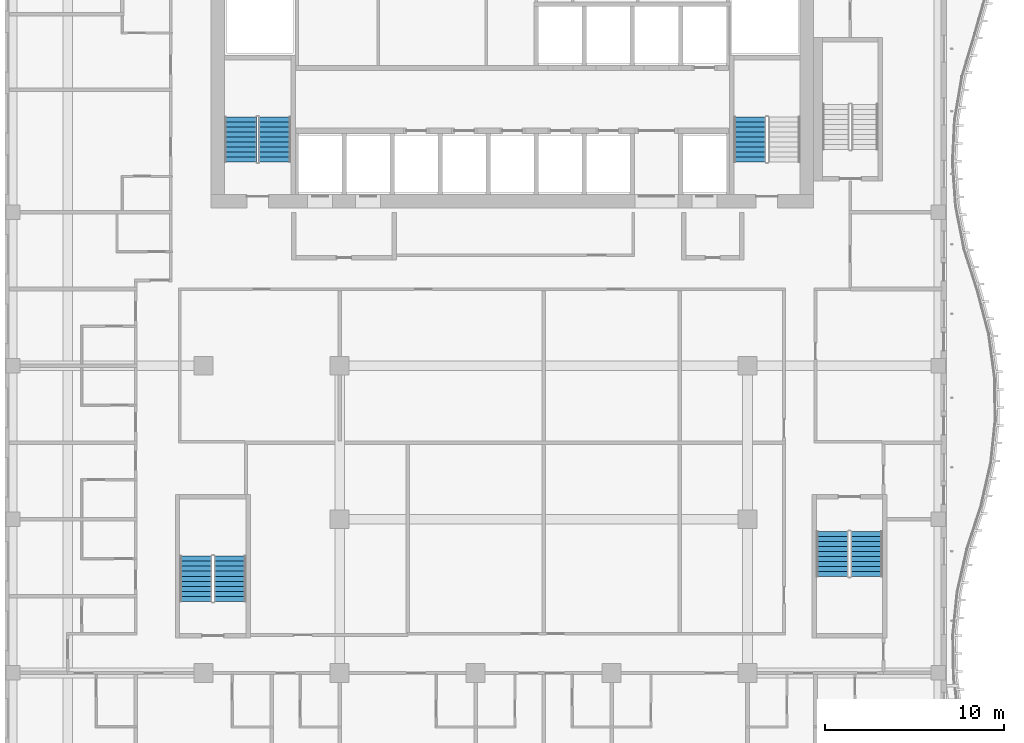
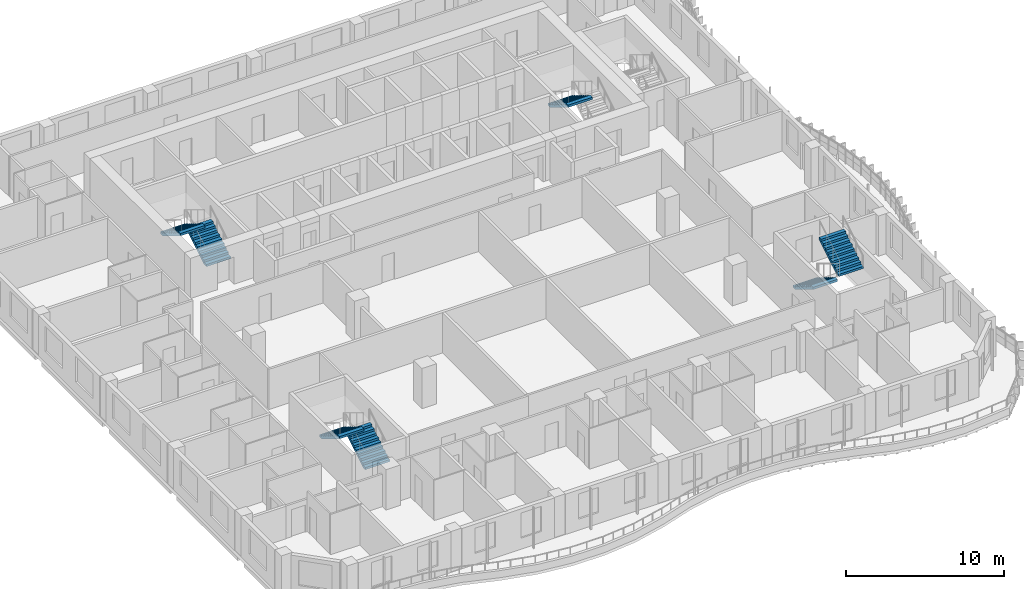
# One storey, part 11 of 21: 7 stair flights, 4 elements without a shape of their own.
"""IFC4 building model written with IfcOpenShell, lengths in metres."""

from ifc_helpers import new_model, si_unit, direction, frame, origin, place, context, subcontext, project, spatial, triangles, source, transform, mapped, material, type_object, element, aggregate, save


model = new_model("IFC4")

# Units and contexts
model_context = context("Model", 3, precision=1e-05, world=origin(), true_north=direction((0.0, 1.0)))
body_context = subcontext(model_context, "Body", "Model", "MODEL_VIEW")
ifc_project = project(units=[si_unit("LENGTHUNIT", "METRE"), si_unit("AREAUNIT", "SQUARE_METRE"), si_unit("VOLUMEUNIT", "CUBIC_METRE"), si_unit("PLANEANGLEUNIT", "RADIAN"), si_unit("MASSUNIT", "GRAM", prefix="KILO")], contexts=[model_context])

# Site, building, storey
site_placement = place(None, origin())
site = spatial("IfcSite", under=ifc_project, at=site_placement, CompositionType="ELEMENT")
building_placement = place(site_placement, origin())
building = spatial("IfcBuilding", under=site, at=building_placement, Name="Kilnfold Tower and Market Hall", CompositionType="ELEMENT")
storey_placement = place(building_placement, frame((0.0, 0.0, 182.10009765625)))
storey = spatial("IfcBuildingStorey", under=building, at=storey_placement, Name="L43", CompositionType="ELEMENT", Elevation=182.10009765625)

# Stair, stair flights
ifc_material_1 = material(Name="Concrete C40/50", Category="concrete")
stair_type = type_object("IfcStairType", Name="CORE STAIR 1800", PredefinedType="HALF_TURN_STAIR", material=ifc_material_1)
stair_1_placement = place(storey_placement, origin())
stair_1 = element("IfcStair", 1, at=stair_1_placement, inside=storey, type_object=stair_type, Name="L43 ST1", PredefinedType="HALF_TURN_STAIR")
ifc_material_2 = material(Name="Concrete C40/50", Category="concrete")
stair_flight_type = type_object("IfcStairFlightType", Name="CORE STAIR FLIGHT 1800", PredefinedType="STRAIGHT", material=ifc_material_2)
shared_shape = source(origin(), body_context, "Body", "Tessellation", [
    triangles([(0.0, 0.89990234375, 0.0), (0.0, 0.78759765625, 0.0), (0.0, 0.675048828125, 0.0), (0.0, 0.5625, 0.0), (0.0, 0.449951171875, 0.0), (0.0, 0.33740234375, 0.0), (0.0, 0.22509765625, 0.0), (0.0, 0.112548828125, 0.0), (0.0, 0.0, 0.0), (0.0, -0.112548828125, 0.0), (0.0, -0.22509765625, 0.0), (0.0, -0.33740234375, 0.0), (0.0, -0.449951171875, 0.0), (0.0, -0.5625, 0.0), (0.0, -0.675048828125, 0.0), (0.0, -0.78759765625, 0.0), (0.0, -0.89990234375, 0.0), (0.0, 0.89990234375, 0.169921875), (0.0, 0.78759765625, 0.169921875), (0.0, 0.675048828125, 0.169921875), (0.0, 0.5625, 0.169921875), (0.0, 0.449951171875, 0.169921875), (0.0, 0.33740234375, 0.169921875), (0.0, 0.22509765625, 0.169921875), (0.0, 0.112548828125, 0.169921875), (0.0, 0.0, 0.169921875), (0.0, -0.112548828125, 0.169921875), (0.0, -0.22509765625, 0.169921875), (0.0, -0.33740234375, 0.169921875), (0.0, -0.449951171875, 0.169921875), (0.0, -0.5625, 0.169921875), (0.0, -0.675048828125, 0.169921875), (0.0, -0.78759765625, 0.169921875), (0.0, -0.89990234375, 0.169921875), (0.280029296875, 0.89990234375, 0.169921875), (0.280029296875, 0.78759765625, 0.169921875), (0.280029296875, 0.675048828125, 0.169921875), (0.280029296875, 0.5625, 0.169921875), (0.280029296875, 0.449951171875, 0.169921875), (0.280029296875, 0.33740234375, 0.169921875), (0.280029296875, 0.22509765625, 0.169921875), (0.280029296875, 0.112548828125, 0.169921875), (0.280029296875, 0.0, 0.169921875), (0.280029296875, -0.112548828125, 0.169921875), (0.280029296875, -0.22509765625, 0.169921875), (0.280029296875, -0.33740234375, 0.169921875), (0.280029296875, -0.449951171875, 0.169921875), (0.280029296875, -0.5625, 0.169921875), (0.280029296875, -0.675048828125, 0.169921875), (0.280029296875, -0.78759765625, 0.169921875), (0.280029296875, -0.89990234375, 0.169921875), (0.280029296875, 0.89990234375, 0.340087890625), (0.280029296875, 0.78759765625, 0.340087890625), (0.280029296875, 0.675048828125, 0.340087890625), (0.280029296875, 0.5625, 0.340087890625), (0.280029296875, 0.449951171875, 0.340087890625), (0.280029296875, 0.33740234375, 0.340087890625), (0.280029296875, 0.22509765625, 0.340087890625), (0.280029296875, 0.112548828125, 0.340087890625), (0.280029296875, 0.0, 0.340087890625), (0.280029296875, -0.112548828125, 0.340087890625), (0.280029296875, -0.22509765625, 0.340087890625), (0.280029296875, -0.33740234375, 0.340087890625), (0.280029296875, -0.449951171875, 0.340087890625), (0.280029296875, -0.5625, 0.340087890625), (0.280029296875, -0.675048828125, 0.340087890625), (0.280029296875, -0.78759765625, 0.340087890625), (0.280029296875, -0.89990234375, 0.340087890625), (0.56005859375, 0.89990234375, 0.340087890625), (0.56005859375, 0.78759765625, 0.340087890625), (0.56005859375, 0.675048828125, 0.340087890625), (0.56005859375, 0.5625, 0.340087890625), (0.56005859375, 0.449951171875, 0.340087890625), (0.56005859375, 0.33740234375, 0.340087890625), (0.56005859375, 0.22509765625, 0.340087890625), (0.56005859375, 0.112548828125, 0.340087890625), (0.56005859375, 0.0, 0.340087890625), (0.56005859375, -0.112548828125, 0.340087890625), (0.56005859375, -0.22509765625, 0.340087890625), (0.56005859375, -0.33740234375, 0.340087890625), (0.56005859375, -0.449951171875, 0.340087890625), (0.56005859375, -0.5625, 0.340087890625), (0.56005859375, -0.675048828125, 0.340087890625), (0.56005859375, -0.78759765625, 0.340087890625), (0.56005859375, -0.89990234375, 0.340087890625), (0.56005859375, 0.89990234375, 0.510009765625), (0.56005859375, 0.78759765625, 0.510009765625), (0.56005859375, 0.675048828125, 0.510009765625), (0.56005859375, 0.5625, 0.510009765625), (0.56005859375, 0.449951171875, 0.510009765625), (0.56005859375, 0.33740234375, 0.510009765625), (0.56005859375, 0.22509765625, 0.510009765625), (0.56005859375, 0.112548828125, 0.510009765625), (0.56005859375, 0.0, 0.510009765625), (0.56005859375, -0.112548828125, 0.510009765625), (0.56005859375, -0.22509765625, 0.510009765625), (0.56005859375, -0.33740234375, 0.510009765625), (0.56005859375, -0.449951171875, 0.510009765625), (0.56005859375, -0.5625, 0.510009765625), (0.56005859375, -0.675048828125, 0.510009765625), (0.56005859375, -0.78759765625, 0.510009765625), (0.56005859375, -0.89990234375, 0.510009765625), (0.840087890625, 0.89990234375, 0.510009765625), (0.840087890625, 0.78759765625, 0.510009765625), (0.840087890625, 0.675048828125, 0.510009765625), (0.840087890625, 0.5625, 0.510009765625), (0.840087890625, 0.449951171875, 0.510009765625), (0.840087890625, 0.33740234375, 0.510009765625), (0.840087890625, 0.22509765625, 0.510009765625), (0.840087890625, 0.112548828125, 0.510009765625), (0.840087890625, 0.0, 0.510009765625), (0.840087890625, -0.112548828125, 0.510009765625), (0.840087890625, -0.22509765625, 0.510009765625), (0.840087890625, -0.33740234375, 0.510009765625), (0.840087890625, -0.449951171875, 0.510009765625), (0.840087890625, -0.5625, 0.510009765625), (0.840087890625, -0.675048828125, 0.510009765625), (0.840087890625, -0.78759765625, 0.510009765625), (0.840087890625, -0.89990234375, 0.510009765625), (0.840087890625, 0.89990234375, 0.679931640625), (0.840087890625, 0.78759765625, 0.679931640625), (0.840087890625, 0.675048828125, 0.679931640625), (0.840087890625, 0.5625, 0.679931640625), (0.840087890625, 0.449951171875, 0.679931640625), (0.840087890625, 0.33740234375, 0.679931640625), (0.840087890625, 0.22509765625, 0.679931640625), (0.840087890625, 0.112548828125, 0.679931640625), (0.840087890625, 0.0, 0.679931640625), (0.840087890625, -0.112548828125, 0.679931640625), (0.840087890625, -0.22509765625, 0.679931640625), (0.840087890625, -0.33740234375, 0.679931640625), (0.840087890625, -0.449951171875, 0.679931640625), (0.840087890625, -0.5625, 0.679931640625), (0.840087890625, -0.675048828125, 0.679931640625), (0.840087890625, -0.78759765625, 0.679931640625), (0.840087890625, -0.89990234375, 0.679931640625), (1.1201171875, 0.89990234375, 0.679931640625), (1.1201171875, 0.78759765625, 0.679931640625), (1.1201171875, 0.675048828125, 0.679931640625), (1.1201171875, 0.5625, 0.679931640625), (1.1201171875, 0.449951171875, 0.679931640625), (1.1201171875, 0.33740234375, 0.679931640625), (1.1201171875, 0.22509765625, 0.679931640625), (1.1201171875, 0.112548828125, 0.679931640625), (1.1201171875, 0.0, 0.679931640625), (1.1201171875, -0.112548828125, 0.679931640625), (1.1201171875, -0.22509765625, 0.679931640625), (1.1201171875, -0.33740234375, 0.679931640625), (1.1201171875, -0.449951171875, 0.679931640625), (1.1201171875, -0.5625, 0.679931640625), (1.1201171875, -0.675048828125, 0.679931640625), (1.1201171875, -0.78759765625, 0.679931640625), (1.1201171875, -0.89990234375, 0.679931640625), (1.1201171875, 0.89990234375, 0.85009765625), (1.1201171875, 0.78759765625, 0.85009765625), (1.1201171875, 0.675048828125, 0.85009765625), (1.1201171875, 0.5625, 0.85009765625), (1.1201171875, 0.449951171875, 0.85009765625), (1.1201171875, 0.33740234375, 0.85009765625), (1.1201171875, 0.22509765625, 0.85009765625), (1.1201171875, 0.112548828125, 0.85009765625), (1.1201171875, 0.0, 0.85009765625), (1.1201171875, -0.112548828125, 0.85009765625), (1.1201171875, -0.22509765625, 0.85009765625), (1.1201171875, -0.33740234375, 0.85009765625), (1.1201171875, -0.449951171875, 0.85009765625), (1.1201171875, -0.5625, 0.85009765625), (1.1201171875, -0.675048828125, 0.85009765625), (1.1201171875, -0.78759765625, 0.85009765625), (1.1201171875, -0.89990234375, 0.85009765625), (1.39990234375, 0.89990234375, 0.85009765625), (1.39990234375, 0.78759765625, 0.85009765625), (1.39990234375, 0.675048828125, 0.85009765625), (1.39990234375, 0.5625, 0.85009765625), (1.39990234375, 0.449951171875, 0.85009765625), (1.39990234375, 0.33740234375, 0.85009765625), (1.39990234375, 0.22509765625, 0.85009765625), (1.39990234375, 0.112548828125, 0.85009765625), (1.39990234375, 0.0, 0.85009765625), (1.39990234375, -0.112548828125, 0.85009765625), (1.39990234375, -0.22509765625, 0.85009765625), (1.39990234375, -0.33740234375, 0.85009765625), (1.39990234375, -0.449951171875, 0.85009765625), (1.39990234375, -0.5625, 0.85009765625), (1.39990234375, -0.675048828125, 0.85009765625), (1.39990234375, -0.78759765625, 0.85009765625), (1.39990234375, -0.89990234375, 0.85009765625), (1.39990234375, 0.89990234375, 1.02001953125), (1.39990234375, 0.78759765625, 1.02001953125), (1.39990234375, 0.675048828125, 1.02001953125), (1.39990234375, 0.5625, 1.02001953125), (1.39990234375, 0.449951171875, 1.02001953125), (1.39990234375, 0.33740234375, 1.02001953125), (1.39990234375, 0.22509765625, 1.02001953125), (1.39990234375, 0.112548828125, 1.02001953125), (1.39990234375, 0.0, 1.02001953125), (1.39990234375, -0.112548828125, 1.02001953125), (1.39990234375, -0.22509765625, 1.02001953125), (1.39990234375, -0.33740234375, 1.02001953125), (1.39990234375, -0.449951171875, 1.02001953125), (1.39990234375, -0.5625, 1.02001953125), (1.39990234375, -0.675048828125, 1.02001953125), (1.39990234375, -0.78759765625, 1.02001953125), (1.39990234375, -0.89990234375, 1.02001953125), (1.679931640625, 0.89990234375, 1.02001953125), (1.679931640625, 0.78759765625, 1.02001953125), (1.679931640625, 0.675048828125, 1.02001953125), (1.679931640625, 0.5625, 1.02001953125), (1.679931640625, 0.449951171875, 1.02001953125), (1.679931640625, 0.33740234375, 1.02001953125), (1.679931640625, 0.22509765625, 1.02001953125), (1.679931640625, 0.112548828125, 1.02001953125), (1.679931640625, 0.0, 1.02001953125), (1.679931640625, -0.112548828125, 1.02001953125), (1.679931640625, -0.22509765625, 1.02001953125), (1.679931640625, -0.33740234375, 1.02001953125), (1.679931640625, -0.449951171875, 1.02001953125), (1.679931640625, -0.5625, 1.02001953125), (1.679931640625, -0.675048828125, 1.02001953125), (1.679931640625, -0.78759765625, 1.02001953125), (1.679931640625, -0.89990234375, 1.02001953125), (1.679931640625, 0.89990234375, 1.18994140625), (1.679931640625, 0.78759765625, 1.18994140625), (1.679931640625, 0.675048828125, 1.18994140625), (1.679931640625, 0.5625, 1.18994140625), (1.679931640625, 0.449951171875, 1.18994140625), (1.679931640625, 0.33740234375, 1.18994140625), (1.679931640625, 0.22509765625, 1.18994140625), (1.679931640625, 0.112548828125, 1.18994140625), (1.679931640625, 0.0, 1.18994140625), (1.679931640625, -0.112548828125, 1.18994140625), (1.679931640625, -0.22509765625, 1.18994140625), (1.679931640625, -0.33740234375, 1.18994140625), (1.679931640625, -0.449951171875, 1.18994140625), (1.679931640625, -0.5625, 1.18994140625), (1.679931640625, -0.675048828125, 1.18994140625), (1.679931640625, -0.78759765625, 1.18994140625), (1.679931640625, -0.89990234375, 1.18994140625), (1.9599609375, 0.89990234375, 1.18994140625), (1.9599609375, 0.78759765625, 1.18994140625), (1.9599609375, 0.675048828125, 1.18994140625), (1.9599609375, 0.5625, 1.18994140625), (1.9599609375, 0.449951171875, 1.18994140625), (1.9599609375, 0.33740234375, 1.18994140625), (1.9599609375, 0.22509765625, 1.18994140625), (1.9599609375, 0.112548828125, 1.18994140625), (1.9599609375, 0.0, 1.18994140625), (1.9599609375, -0.112548828125, 1.18994140625), (1.9599609375, -0.22509765625, 1.18994140625), (1.9599609375, -0.33740234375, 1.18994140625), (1.9599609375, -0.449951171875, 1.18994140625), (1.9599609375, -0.5625, 1.18994140625), (1.9599609375, -0.675048828125, 1.18994140625), (1.9599609375, -0.78759765625, 1.18994140625), (1.9599609375, -0.89990234375, 1.18994140625), (1.9599609375, 0.89990234375, 1.360107421875), (1.9599609375, 0.78759765625, 1.360107421875), (1.9599609375, 0.675048828125, 1.360107421875), (1.9599609375, 0.5625, 1.360107421875), (1.9599609375, 0.449951171875, 1.360107421875), (1.9599609375, 0.33740234375, 1.360107421875), (1.9599609375, 0.22509765625, 1.360107421875), (1.9599609375, 0.112548828125, 1.360107421875), (1.9599609375, 0.0, 1.360107421875), (1.9599609375, -0.112548828125, 1.360107421875), (1.9599609375, -0.22509765625, 1.360107421875), (1.9599609375, -0.33740234375, 1.360107421875), (1.9599609375, -0.449951171875, 1.360107421875), (1.9599609375, -0.5625, 1.360107421875), (1.9599609375, -0.675048828125, 1.360107421875), (1.9599609375, -0.78759765625, 1.360107421875), (1.9599609375, -0.89990234375, 1.360107421875), (2.239990234375, 0.89990234375, 1.360107421875), (2.239990234375, 0.78759765625, 1.360107421875), (2.239990234375, 0.675048828125, 1.360107421875), (2.239990234375, 0.5625, 1.360107421875), (2.239990234375, 0.449951171875, 1.360107421875), (2.239990234375, 0.33740234375, 1.360107421875), (2.239990234375, 0.22509765625, 1.360107421875), (2.239990234375, 0.112548828125, 1.360107421875), (2.239990234375, 0.0, 1.360107421875), (2.239990234375, -0.112548828125, 1.360107421875), (2.239990234375, -0.22509765625, 1.360107421875), (2.239990234375, -0.33740234375, 1.360107421875), (2.239990234375, -0.449951171875, 1.360107421875), (2.239990234375, -0.5625, 1.360107421875), (2.239990234375, -0.675048828125, 1.360107421875), (2.239990234375, -0.78759765625, 1.360107421875), (2.239990234375, -0.89990234375, 1.360107421875), (2.239990234375, 0.89990234375, 1.530029296875), (2.239990234375, 0.78759765625, 1.530029296875), (2.239990234375, 0.675048828125, 1.530029296875), (2.239990234375, 0.5625, 1.530029296875), (2.239990234375, 0.449951171875, 1.530029296875), (2.239990234375, 0.33740234375, 1.530029296875), (2.239990234375, 0.22509765625, 1.530029296875), (2.239990234375, 0.112548828125, 1.530029296875), (2.239990234375, 0.0, 1.530029296875), (2.239990234375, -0.112548828125, 1.530029296875), (2.239990234375, -0.22509765625, 1.530029296875), (2.239990234375, -0.33740234375, 1.530029296875), (2.239990234375, -0.449951171875, 1.530029296875), (2.239990234375, -0.5625, 1.530029296875), (2.239990234375, -0.675048828125, 1.530029296875), (2.239990234375, -0.78759765625, 1.530029296875), (2.239990234375, -0.89990234375, 1.530029296875), (2.52001953125, 0.89990234375, 1.530029296875), (2.52001953125, 0.78759765625, 1.530029296875), (2.52001953125, 0.675048828125, 1.530029296875), (2.52001953125, 0.5625, 1.530029296875), (2.52001953125, 0.449951171875, 1.530029296875), (2.52001953125, 0.33740234375, 1.530029296875), (2.52001953125, 0.22509765625, 1.530029296875), (2.52001953125, 0.112548828125, 1.530029296875), (2.52001953125, 0.0, 1.530029296875), (2.52001953125, -0.112548828125, 1.530029296875), (2.52001953125, -0.22509765625, 1.530029296875), (2.52001953125, -0.33740234375, 1.530029296875), (2.52001953125, -0.449951171875, 1.530029296875), (2.52001953125, -0.5625, 1.530029296875), (2.52001953125, -0.675048828125, 1.530029296875), (2.52001953125, -0.78759765625, 1.530029296875), (2.52001953125, -0.89990234375, 1.530029296875), (2.52001953125, 0.89990234375, 1.354736328125), (2.52001953125, 0.78759765625, 1.354736328125), (2.52001953125, 0.675048828125, 1.354736328125), (2.52001953125, 0.5625, 1.354736328125), (2.52001953125, 0.449951171875, 1.354736328125), (2.52001953125, 0.33740234375, 1.354736328125), (2.52001953125, 0.22509765625, 1.354736328125), (2.52001953125, 0.112548828125, 1.354736328125), (2.52001953125, 0.0, 1.354736328125), (2.52001953125, -0.112548828125, 1.354736328125), (2.52001953125, -0.22509765625, 1.354736328125), (2.52001953125, -0.33740234375, 1.354736328125), (2.52001953125, -0.449951171875, 1.354736328125), (2.52001953125, -0.5625, 1.354736328125), (2.52001953125, -0.675048828125, 1.354736328125), (2.52001953125, -0.78759765625, 1.354736328125), (2.52001953125, -0.89990234375, 1.354736328125), (0.288818359375, 0.89990234375, 0.0), (0.288818359375, 0.78759765625, 0.0), (0.288818359375, 0.675048828125, 0.0), (0.288818359375, 0.5625, 0.0), (0.288818359375, 0.449951171875, 0.0), (0.288818359375, 0.33740234375, 0.0), (0.288818359375, 0.22509765625, 0.0), (0.288818359375, 0.112548828125, 0.0), (0.288818359375, 0.0, 0.0), (0.288818359375, -0.112548828125, 0.0), (0.288818359375, -0.22509765625, 0.0), (0.288818359375, -0.33740234375, 0.0), (0.288818359375, -0.449951171875, 0.0), (0.288818359375, -0.5625, 0.0), (0.288818359375, -0.675048828125, 0.0), (0.288818359375, -0.78759765625, 0.0), (0.288818359375, -0.89990234375, 0.0)], [[1, 324, 341], [17, 357, 340], [324, 290, 307], [340, 323, 306], [324, 273, 290], [340, 306, 289], [324, 256, 273], [340, 289, 272], [324, 239, 256], [340, 272, 255], [239, 205, 222], [255, 238, 221], [324, 205, 239], [340, 255, 221], [205, 171, 188], [221, 204, 187], [324, 171, 205], [340, 221, 187], [171, 137, 154], [187, 170, 153], [324, 137, 171], [340, 187, 153], [137, 103, 120], [153, 136, 119], [324, 103, 137], [340, 153, 119], [103, 69, 86], [119, 102, 85], [324, 69, 103], [340, 119, 85], [69, 35, 52], [85, 68, 51], [324, 35, 69], [340, 85, 51], [1, 35, 324], [17, 340, 51], [35, 1, 18], [51, 34, 17], [1, 19, 18], [1, 2, 19], [2, 20, 19], [2, 3, 20], [3, 21, 20], [3, 4, 21], [4, 22, 21], [4, 5, 22], [5, 23, 22], [5, 6, 23], [6, 24, 23], [6, 7, 24], [7, 25, 24], [7, 8, 25], [8, 26, 25], [8, 9, 26], [9, 27, 26], [9, 10, 27], [10, 28, 27], [10, 11, 28], [11, 29, 28], [11, 12, 29], [12, 30, 29], [12, 13, 30], [13, 31, 30], [13, 14, 31], [14, 32, 31], [14, 15, 32], [15, 33, 32], [15, 16, 33], [16, 34, 33], [16, 17, 34], [18, 36, 35], [18, 19, 36], [19, 37, 36], [19, 20, 37], [20, 38, 37], [20, 21, 38], [21, 39, 38], [21, 22, 39], [22, 40, 39], [22, 23, 40], [23, 41, 40], [23, 24, 41], [24, 42, 41], [24, 25, 42], [25, 43, 42], [25, 26, 43], [26, 44, 43], [26, 27, 44], [27, 45, 44], [27, 28, 45], [28, 46, 45], [28, 29, 46], [29, 47, 46], [29, 30, 47], [30, 48, 47], [30, 31, 48], [31, 49, 48], [31, 32, 49], [32, 50, 49], [32, 33, 50], [33, 51, 50], [33, 34, 51], [35, 53, 52], [35, 36, 53], [36, 54, 53], [36, 37, 54], [37, 55, 54], [37, 38, 55], [38, 56, 55], [38, 39, 56], [39, 57, 56], [39, 40, 57], [40, 58, 57], [40, 41, 58], [41, 59, 58], [41, 42, 59], [42, 60, 59], [42, 43, 60], [43, 61, 60], [43, 44, 61], [44, 62, 61], [44, 45, 62], [45, 63, 62], [45, 46, 63], [46, 64, 63], [46, 47, 64], [47, 65, 64], [47, 48, 65], [48, 66, 65], [48, 49, 66], [49, 67, 66], [49, 50, 67], [50, 68, 67], [50, 51, 68], [52, 70, 69], [52, 53, 70], [53, 71, 70], [53, 54, 71], [54, 72, 71], [54, 55, 72], [55, 73, 72], [55, 56, 73], [56, 74, 73], [56, 57, 74], [57, 75, 74], [57, 58, 75], [58, 76, 75], [58, 59, 76], [59, 77, 76], [59, 60, 77], [60, 78, 77], [60, 61, 78], [61, 79, 78], [61, 62, 79], [62, 80, 79], [62, 63, 80], [63, 81, 80], [63, 64, 81], [64, 82, 81], [64, 65, 82], [65, 83, 82], [65, 66, 83], [66, 84, 83], [66, 67, 84], [67, 85, 84], [67, 68, 85], [69, 87, 86], [69, 70, 87], [70, 88, 87], [70, 71, 88], [71, 89, 88], [71, 72, 89], [72, 90, 89], [72, 73, 90], [73, 91, 90], [73, 74, 91], [74, 92, 91], [74, 75, 92], [75, 93, 92], [75, 76, 93], [76, 94, 93], [76, 77, 94], [77, 95, 94], [77, 78, 95], [78, 96, 95], [78, 79, 96], [79, 97, 96], [79, 80, 97], [80, 98, 97], [80, 81, 98], [81, 99, 98], [81, 82, 99], [82, 100, 99], [82, 83, 100], [83, 101, 100], [83, 84, 101], [84, 102, 101], [84, 85, 102], [86, 104, 103], [86, 87, 104], [87, 105, 104], [87, 88, 105], [88, 106, 105], [88, 89, 106], [89, 107, 106], [89, 90, 107], [90, 108, 107], [90, 91, 108], [91, 109, 108], [91, 92, 109], [92, 110, 109], [92, 93, 110], [93, 111, 110], [93, 94, 111], [94, 112, 111], [94, 95, 112], [95, 113, 112], [95, 96, 113], [96, 114, 113], [96, 97, 114], [97, 115, 114], [97, 98, 115], [98, 116, 115], [98, 99, 116], [99, 117, 116], [99, 100, 117], [100, 118, 117], [100, 101, 118], [101, 119, 118], [101, 102, 119], [103, 121, 120], [103, 104, 121], [104, 122, 121], [104, 105, 122], [105, 123, 122], [105, 106, 123], [106, 124, 123], [106, 107, 124], [107, 125, 124], [107, 108, 125], [108, 126, 125], [108, 109, 126], [109, 127, 126], [109, 110, 127], [110, 128, 127], [110, 111, 128], [111, 129, 128], [111, 112, 129], [112, 130, 129], [112, 113, 130], [113, 131, 130], [113, 114, 131], [114, 132, 131], [114, 115, 132], [115, 133, 132], [115, 116, 133], [116, 134, 133], [116, 117, 134], [117, 135, 134], [117, 118, 135], [118, 136, 135], [118, 119, 136], [120, 138, 137], [120, 121, 138], [121, 139, 138], [121, 122, 139], [122, 140, 139], [122, 123, 140], [123, 141, 140], [123, 124, 141], [124, 142, 141], [124, 125, 142], [125, 143, 142], [125, 126, 143], [126, 144, 143], [126, 127, 144], [127, 145, 144], [127, 128, 145], [128, 146, 145], [128, 129, 146], [129, 147, 146], [129, 130, 147], [130, 148, 147], [130, 131, 148], [131, 149, 148], [131, 132, 149], [132, 150, 149], [132, 133, 150], [133, 151, 150], [133, 134, 151], [134, 152, 151], [134, 135, 152], [135, 153, 152], [135, 136, 153], [137, 155, 154], [137, 138, 155], [138, 156, 155], [138, 139, 156], [139, 157, 156], [139, 140, 157], [140, 158, 157], [140, 141, 158], [141, 159, 158], [141, 142, 159], [142, 160, 159], [142, 143, 160], [143, 161, 160], [143, 144, 161], [144, 162, 161], [144, 145, 162], [145, 163, 162], [145, 146, 163], [146, 164, 163], [146, 147, 164], [147, 165, 164], [147, 148, 165], [148, 166, 165], [148, 149, 166], [149, 167, 166], [149, 150, 167], [150, 168, 167], [150, 151, 168], [151, 169, 168], [151, 152, 169], [152, 170, 169], [152, 153, 170], [154, 172, 171], [154, 155, 172], [155, 173, 172], [155, 156, 173], [156, 174, 173], [156, 157, 174], [157, 175, 174], [157, 158, 175], [158, 176, 175], [158, 159, 176], [159, 177, 176], [159, 160, 177], [160, 178, 177], [160, 161, 178], [161, 179, 178], [161, 162, 179], [162, 180, 179], [162, 163, 180], [163, 181, 180], [163, 164, 181], [164, 182, 181], [164, 165, 182], [165, 183, 182], [165, 166, 183], [166, 184, 183], [166, 167, 184], [167, 185, 184], [167, 168, 185], [168, 186, 185], [168, 169, 186], [169, 187, 186], [169, 170, 187], [171, 189, 188], [171, 172, 189], [172, 190, 189], [172, 173, 190], [173, 191, 190], [173, 174, 191], [174, 192, 191], [174, 175, 192], [175, 193, 192], [175, 176, 193], [176, 194, 193], [176, 177, 194], [177, 195, 194], [177, 178, 195], [178, 196, 195], [178, 179, 196], [179, 197, 196], [179, 180, 197], [180, 198, 197], [180, 181, 198], [181, 199, 198], [181, 182, 199], [182, 200, 199], [182, 183, 200], [183, 201, 200], [183, 184, 201], [184, 202, 201], [184, 185, 202], [185, 203, 202], [185, 186, 203], [186, 204, 203], [186, 187, 204], [188, 206, 205], [188, 189, 206], [189, 207, 206], [189, 190, 207], [190, 208, 207], [190, 191, 208], [191, 209, 208], [191, 192, 209], [192, 210, 209], [192, 193, 210], [193, 211, 210], [193, 194, 211], [194, 212, 211], [194, 195, 212], [195, 213, 212], [195, 196, 213], [196, 214, 213], [196, 197, 214], [197, 215, 214], [197, 198, 215], [198, 216, 215], [198, 199, 216], [199, 217, 216], [199, 200, 217], [200, 218, 217], [200, 201, 218], [201, 219, 218], [201, 202, 219], [202, 220, 219], [202, 203, 220], [203, 221, 220], [203, 204, 221], [205, 223, 222], [205, 206, 223], [206, 224, 223], [206, 207, 224], [207, 225, 224], [207, 208, 225], [208, 226, 225], [208, 209, 226], [209, 227, 226], [209, 210, 227], [210, 228, 227], [210, 211, 228], [211, 229, 228], [211, 212, 229], [212, 230, 229], [212, 213, 230], [213, 231, 230], [213, 214, 231], [214, 232, 231], [214, 215, 232], [215, 233, 232], [215, 216, 233], [216, 234, 233], [216, 217, 234], [217, 235, 234], [217, 218, 235], [218, 236, 235], [218, 219, 236], [219, 237, 236], [219, 220, 237], [220, 238, 237], [220, 221, 238], [222, 240, 239], [222, 223, 240], [223, 241, 240], [223, 224, 241], [224, 242, 241], [224, 225, 242], [225, 243, 242], [225, 226, 243], [226, 244, 243], [226, 227, 244], [227, 245, 244], [227, 228, 245], [228, 246, 245], [228, 229, 246], [229, 247, 246], [229, 230, 247], [230, 248, 247], [230, 231, 248], [231, 249, 248], [231, 232, 249], [232, 250, 249], [232, 233, 250], [233, 251, 250], [233, 234, 251], [234, 252, 251], [234, 235, 252], [235, 253, 252], [235, 236, 253], [236, 254, 253], [236, 237, 254], [237, 255, 254], [237, 238, 255], [239, 257, 256], [239, 240, 257], [240, 258, 257], [240, 241, 258], [241, 259, 258], [241, 242, 259], [242, 260, 259], [242, 243, 260], [243, 261, 260], [243, 244, 261], [244, 262, 261], [244, 245, 262], [245, 263, 262], [245, 246, 263], [246, 264, 263], [246, 247, 264], [247, 265, 264], [247, 248, 265], [248, 266, 265], [248, 249, 266], [249, 267, 266], [249, 250, 267], [250, 268, 267], [250, 251, 268], [251, 269, 268], [251, 252, 269], [252, 270, 269], [252, 253, 270], [253, 271, 270], [253, 254, 271], [254, 272, 271], [254, 255, 272], [256, 274, 273], [256, 257, 274], [257, 275, 274], [257, 258, 275], [258, 276, 275], [258, 259, 276], [259, 277, 276], [259, 260, 277], [260, 278, 277], [260, 261, 278], [261, 279, 278], [261, 262, 279], [262, 280, 279], [262, 263, 280], [263, 281, 280], [263, 264, 281], [264, 282, 281], [264, 265, 282], [265, 283, 282], [265, 266, 283], [266, 284, 283], [266, 267, 284], [267, 285, 284], [267, 268, 285], [268, 286, 285], [268, 269, 286], [269, 287, 286], [269, 270, 287], [270, 288, 287], [270, 271, 288], [271, 289, 288], [271, 272, 289], [273, 291, 290], [273, 274, 291], [274, 292, 291], [274, 275, 292], [275, 293, 292], [275, 276, 293], [276, 294, 293], [276, 277, 294], [277, 295, 294], [277, 278, 295], [278, 296, 295], [278, 279, 296], [279, 297, 296], [279, 280, 297], [280, 298, 297], [280, 281, 298], [281, 299, 298], [281, 282, 299], [282, 300, 299], [282, 283, 300], [283, 301, 300], [283, 284, 301], [284, 302, 301], [284, 285, 302], [285, 303, 302], [285, 286, 303], [286, 304, 303], [286, 287, 304], [287, 305, 304], [287, 288, 305], [288, 306, 305], [288, 289, 306], [290, 308, 307], [290, 291, 308], [291, 309, 308], [291, 292, 309], [292, 310, 309], [292, 293, 310], [293, 311, 310], [293, 294, 311], [294, 312, 311], [294, 295, 312], [295, 313, 312], [295, 296, 313], [296, 314, 313], [296, 297, 314], [297, 315, 314], [297, 298, 315], [298, 316, 315], [298, 299, 316], [299, 317, 316], [299, 300, 317], [300, 318, 317], [300, 301, 318], [301, 319, 318], [301, 302, 319], [302, 320, 319], [302, 303, 320], [303, 321, 320], [303, 304, 321], [304, 322, 321], [304, 305, 322], [305, 323, 322], [305, 306, 323], [307, 325, 324], [307, 308, 325], [308, 326, 325], [308, 309, 326], [309, 327, 326], [309, 310, 327], [310, 328, 327], [310, 311, 328], [311, 329, 328], [311, 312, 329], [312, 330, 329], [312, 313, 330], [313, 331, 330], [313, 314, 331], [314, 332, 331], [314, 315, 332], [315, 333, 332], [315, 316, 333], [316, 334, 333], [316, 317, 334], [317, 335, 334], [317, 318, 335], [318, 336, 335], [318, 319, 336], [319, 337, 336], [319, 320, 337], [320, 338, 337], [320, 321, 338], [321, 339, 338], [321, 322, 339], [322, 340, 339], [322, 323, 340], [324, 342, 341], [324, 325, 342], [325, 343, 342], [325, 326, 343], [326, 344, 343], [326, 327, 344], [327, 345, 344], [327, 328, 345], [328, 346, 345], [328, 329, 346], [329, 347, 346], [329, 330, 347], [330, 348, 347], [330, 331, 348], [331, 349, 348], [331, 332, 349], [332, 350, 349], [332, 333, 350], [333, 351, 350], [333, 334, 351], [334, 352, 351], [334, 335, 352], [335, 353, 352], [335, 336, 353], [336, 354, 353], [336, 337, 354], [337, 355, 354], [337, 338, 355], [338, 356, 355], [338, 339, 356], [339, 357, 356], [339, 340, 357], [341, 2, 1], [341, 342, 2], [342, 3, 2], [342, 343, 3], [343, 4, 3], [343, 344, 4], [344, 5, 4], [344, 345, 5], [345, 6, 5], [345, 346, 6], [346, 7, 6], [346, 347, 7], [347, 8, 7], [347, 348, 8], [348, 9, 8], [348, 349, 9], [349, 10, 9], [349, 350, 10], [350, 11, 10], [350, 351, 11], [351, 12, 11], [351, 352, 12], [352, 13, 12], [352, 353, 13], [353, 14, 13], [353, 354, 14], [354, 15, 14], [354, 355, 15], [355, 16, 15], [355, 356, 16], [356, 17, 16], [356, 357, 17]], closed=True),
])
stair_flight_1_placement = place(storey_placement, frame((-12.199951171875, 10.800048828125, 0.0), z_axis=(0.0, 0.0, 1.0), x_axis=(0.0, 1.0, 0.0)))
stair_flight_1 = element("IfcStairFlight", 2, at=stair_flight_1_placement, type_object=stair_flight_type, Name="ST1 flight 1", NumberOfRisers=10, NumberOfTreads=9, PredefinedType="STRAIGHT", RiserHeight=0.17, TreadLength=0.28, context=body_context, shape_type="MappedRepresentation", body=[
    mapped(shared_shape, transform((0.0, 0.0, 0.0))),
])
stair_flight_2_placement = place(storey_placement, frame((-14.10009765625, 13.320068359375, 1.699951171875), z_axis=(0.0, 0.0, 1.0), x_axis=(0.0, -1.0, 0.0)))
stair_flight_2 = element("IfcStairFlight", 3, at=stair_flight_2_placement, type_object=stair_flight_type, Name="ST1 flight 2", NumberOfRisers=10, NumberOfTreads=9, PredefinedType="STRAIGHT", RiserHeight=0.17, TreadLength=0.28, context=body_context, shape_type="MappedRepresentation", body=[
    mapped(shared_shape, transform((0.0, 0.0, 0.0))),
])
aggregate(stair_1, [stair_flight_1, stair_flight_2])

# Stair, stair flight
stair_2_placement = place(storey_placement, origin())
stair_2 = element("IfcStair", 4, at=stair_2_placement, inside=storey, type_object=stair_type, Name="L43 ST2", PredefinedType="HALF_TURN_STAIR")
stair_flight_3_placement = place(storey_placement, frame((14.300048828125, 13.320068359375, 1.699951171875), z_axis=(0.0, 0.0, 1.0), x_axis=(0.0, -1.0, 0.0)))
stair_flight_3 = element("IfcStairFlight", 5, at=stair_flight_3_placement, type_object=stair_flight_type, Name="ST2 flight 2", NumberOfRisers=10, NumberOfTreads=9, PredefinedType="STRAIGHT", RiserHeight=0.17, TreadLength=0.28, context=body_context, shape_type="MappedRepresentation", body=[
    mapped(shared_shape, transform((0.0, 0.0, 0.0))),
])
aggregate(stair_2, [stair_flight_3])

# Stair, stair flights
stair_3_placement = place(storey_placement, origin())
stair_3 = element("IfcStair", 6, at=stair_3_placement, inside=storey, type_object=stair_type, Name="L43 ST3", PredefinedType="HALF_TURN_STAIR")
stair_flight_4_placement = place(storey_placement, frame((-14.699951171875, -13.699951171875, 0.0), z_axis=(0.0, 0.0, 1.0), x_axis=(0.0, 1.0, 0.0)))
stair_flight_4 = element("IfcStairFlight", 7, at=stair_flight_4_placement, type_object=stair_flight_type, Name="ST3 flight 1", NumberOfRisers=10, NumberOfTreads=9, PredefinedType="STRAIGHT", RiserHeight=0.17, TreadLength=0.28, context=body_context, shape_type="MappedRepresentation", body=[
    mapped(shared_shape, transform((0.0, 0.0, 0.0))),
])
stair_flight_5_placement = place(storey_placement, frame((-16.60009765625, -11.179931640625, 1.699951171875), z_axis=(0.0, 0.0, 1.0), x_axis=(0.0, -1.0, 0.0)))
stair_flight_5 = element("IfcStairFlight", 8, at=stair_flight_5_placement, type_object=stair_flight_type, Name="ST3 flight 2", NumberOfRisers=10, NumberOfTreads=9, PredefinedType="STRAIGHT", RiserHeight=0.17, TreadLength=0.28, context=body_context, shape_type="MappedRepresentation", body=[
    mapped(shared_shape, transform((0.0, 0.0, 0.0))),
])
aggregate(stair_3, [stair_flight_4, stair_flight_5])

stair_4_placement = place(storey_placement, origin())
stair_4 = element("IfcStair", 9, at=stair_4_placement, inside=storey, type_object=stair_type, Name="L43 ST4", PredefinedType="HALF_TURN_STAIR")
stair_flight_6_placement = place(storey_placement, frame((18.89990234375, -9.800048828125, 0.0), z_axis=(0.0, 0.0, 1.0), x_axis=(0.0, -1.0, 0.0)))
stair_flight_6 = element("IfcStairFlight", 10, at=stair_flight_6_placement, type_object=stair_flight_type, Name="ST4 flight 1", NumberOfRisers=10, NumberOfTreads=9, PredefinedType="STRAIGHT", RiserHeight=0.17, TreadLength=0.28, context=body_context, shape_type="MappedRepresentation", body=[
    mapped(shared_shape, transform((0.0, 0.0, 0.0))),
])
stair_flight_7_placement = place(storey_placement, frame((20.800048828125, -12.320068359375, 1.699951171875), z_axis=(0.0, 0.0, 1.0), x_axis=(0.0, 1.0, 0.0)))
stair_flight_7 = element("IfcStairFlight", 11, at=stair_flight_7_placement, type_object=stair_flight_type, Name="ST4 flight 2", NumberOfRisers=10, NumberOfTreads=9, PredefinedType="STRAIGHT", RiserHeight=0.17, TreadLength=0.28, context=body_context, shape_type="MappedRepresentation", body=[
    mapped(shared_shape, transform((0.0, 0.0, 0.0))),
])
aggregate(stair_4, [stair_flight_6, stair_flight_7])

save(model, "model.ifc")
